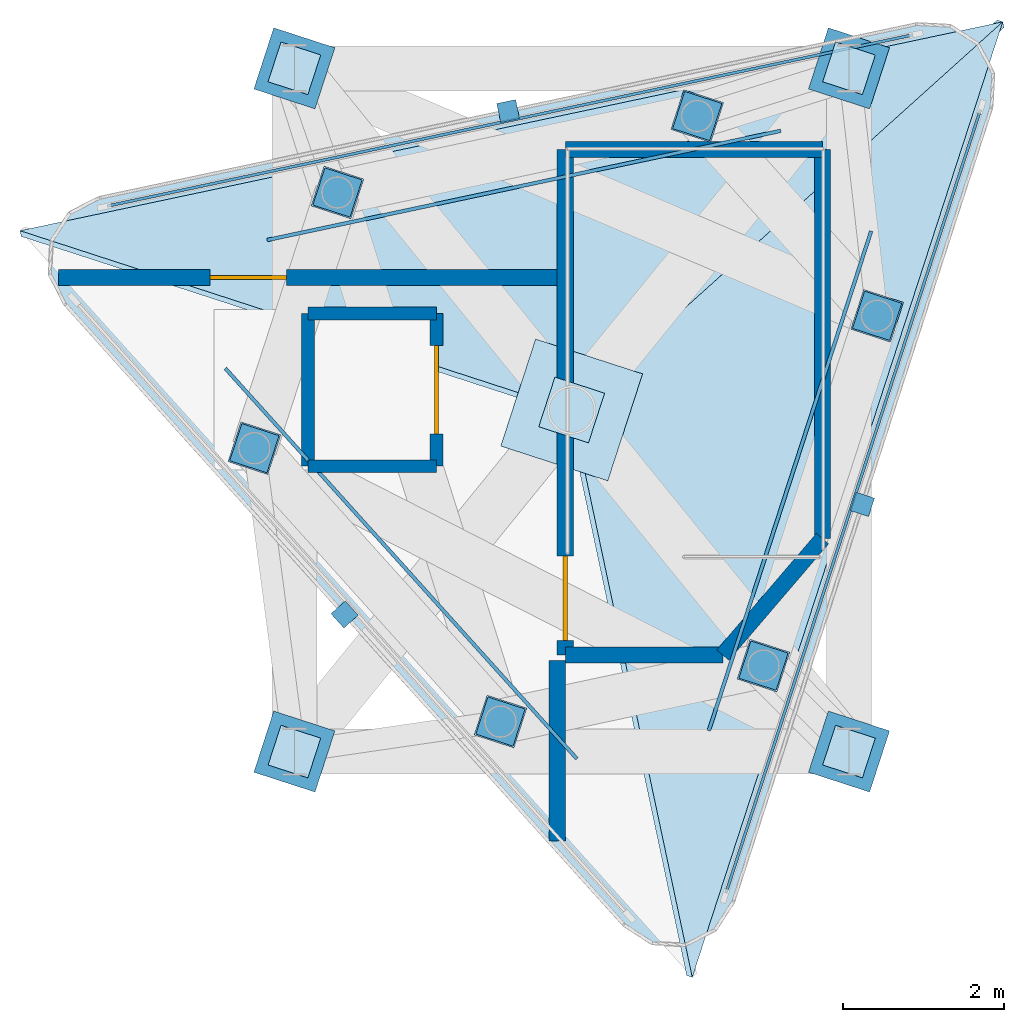
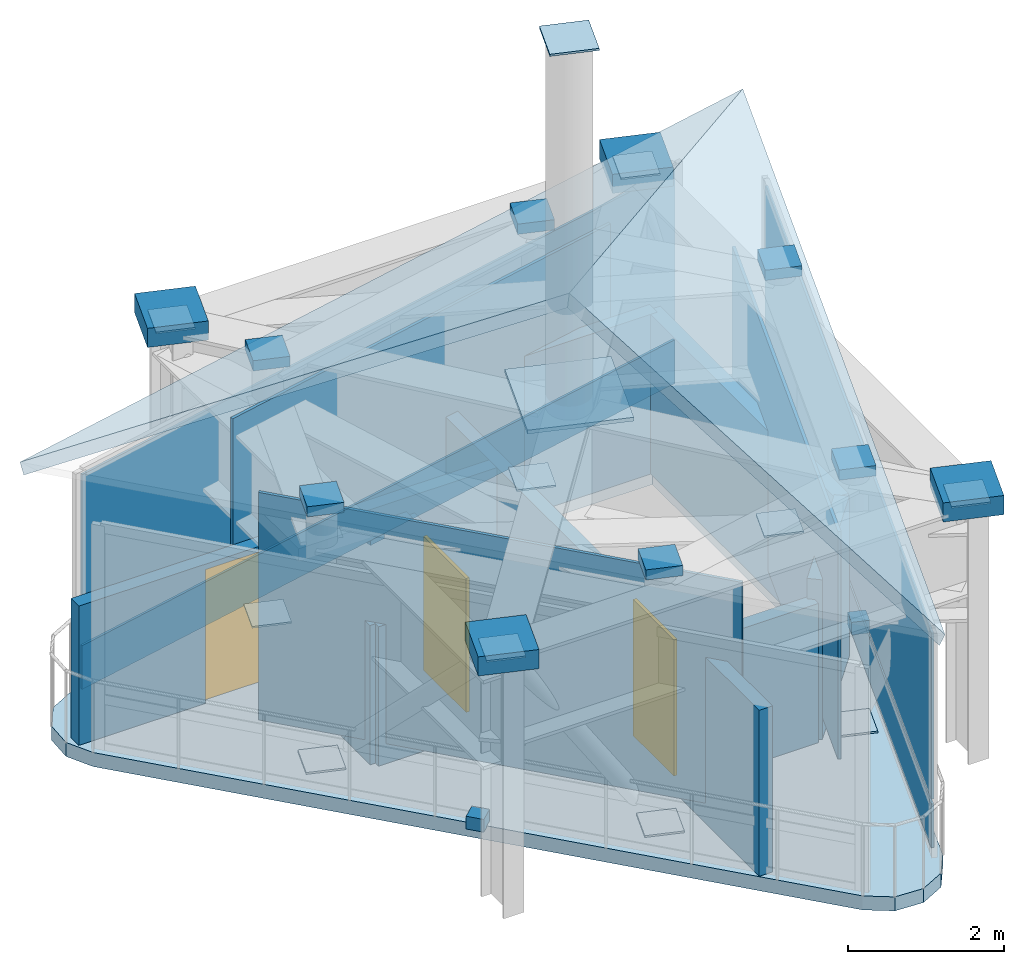
# One storey, part 2 of 3: 19 plates, 13 discrete accessories, 11 walls, 3 doors, 3 slabs, 3 openings, 2 elements without a shape of their own.
"""IFC4 building model written with IfcOpenShell, lengths in metres."""

from ifc_helpers import new_model, si_unit, direction, frame, frame_2d, origin, origin_2d, place, context, subcontext, project, spatial, polyline, rectangle, outline, extrude, material, layer, layer_set, type_object, element, fill, aggregate, save


model = new_model("IFC4")

# Units and contexts
model_context = context("Model", 3, precision=1e-05, world=origin(), true_north=direction((0.0, 1.0)))
body_context = subcontext(model_context, "Body", "Model", "MODEL_VIEW")
ifc_project = project(units=[si_unit("LENGTHUNIT", "METRE"), si_unit("AREAUNIT", "SQUARE_METRE"), si_unit("VOLUMEUNIT", "CUBIC_METRE"), si_unit("PLANEANGLEUNIT", "RADIAN"), si_unit("MASSUNIT", "GRAM", prefix="KILO")], contexts=[model_context])

# Site, building, storey
site_placement = place(None, origin())
site = spatial("IfcSite", under=ifc_project, at=site_placement, CompositionType="ELEMENT")
building_placement = place(site_placement, origin())
building = spatial("IfcBuilding", under=site, at=building_placement, Name="Terralouvre Media Tower", CompositionType="ELEMENT")
storey_placement = place(building_placement, frame((0.0, 0.0, 339.199951171875)))
storey = spatial("IfcBuildingStorey", under=building, at=storey_placement, Name="L87", CompositionType="ELEMENT", Elevation=339.199951171875)

# Slabs
ifc_material_1 = material(Name="Concrete C40/50", Category="concrete")
ifc_layer_1 = layer(ifc_material_1, 0.179931640625, Name="Crown Apex Roof Cap Slab S-CAP180")
ifc_layer_set_1 = layer_set([ifc_layer_1], Name="Concrete C40/50")
slab_type_1 = type_object("IfcSlabType", Name="Crown Apex Roof Cap Slab S-CAP180", PredefinedType="ROOF", material=ifc_layer_set_1)
slab_1_placement = place(storey_placement, frame((1.50048828125, -7.05908203125, 4.199951171875), z_axis=(0.385522159362, -0.125266595585, 0.914155864539), x_axis=(0.309023359697, 0.951054448053, 0.0)))
element("IfcSlab", 1, at=slab_1_placement, inside=storey, type_object=slab_type_1, Name="L87 Glass-Point Crown Pitched Roof Facet 1", PredefinedType="ROOF", context=body_context, shape_type="SweptSolid", body=[
    extrude(outline(polyline([(0.0, 0.0), (12.5, 0.0), (6.25, 3.947265625), (0.0, 0.0)])), origin(), (0.0, 0.0, -1.0), 0.179931640625),
])
slab_2_placement = place(storey_placement, frame((5.36328125, 4.8291015625, 4.199951171875), z_axis=(-0.084276776575, 0.396500659882, 0.914157892075), x_axis=(-0.978148624385, -0.207906874857, 0.0)))
element("IfcSlab", 2, at=slab_2_placement, inside=storey, type_object=slab_type_1, Name="L87 Glass-Point Crown Pitched Roof Facet 2", PredefinedType="ROOF", context=body_context, shape_type="SweptSolid", body=[
    extrude(outline(polyline([(0.0, 0.0), (12.500244140625, 0.0), (6.25, 3.947265625), (0.0, 0.0)])), origin(), (0.0, 0.0, -1.0), 0.179931640625),
])

# Plates
ifc_material_2 = material(Name="Low-iron laminated double glazing with solar-control coating", Category="glass")
ifc_layer_2 = layer(ifc_material_2, 0.0419921875, Name="Crown Faceted Tapered Glass Panel CWP-04")
ifc_layer_set_2 = layer_set([ifc_layer_2], Name="Low-iron laminated double glazing with solar-control coating")
plate_type_1 = type_object("IfcPlateType", Name="Crown Faceted Tapered Glass Panel CWP-04", PredefinedType="SHEET", material=ifc_layer_set_2)
for number, where, z_axis, x_axis, name in (
    (3, (2.716064453125, -0.882568359375, 0.31494140625), (0.0, 0.0, 1.0), (0.3090168573, 0.951056560834, 0.0), "L87 Faceted Glass-Point Crown Panel F0"),
    (4, (-0.59375, 2.79345703125, 0.31494140625), (0.0, 0.0, 1.0), (-0.978147555117, -0.207911905429, 0.0), "L87 Faceted Glass-Point Crown Panel F1"),
    (5, (-2.122314453125, -1.910888671875, 0.31494140625), (0.0, 0.0, 1.0), (0.66913073697, -0.743144707875, 0.0), "L87 Faceted Glass-Point Crown Panel F2"),
):
    element("IfcPlate", number, at=place(storey_placement, frame(where, z_axis=z_axis, x_axis=x_axis)), inside=storey, type_object=plate_type_1, Name=name, PredefinedType="SHEET", context=body_context, shape_type="SweptSolid", body=[
        extrude(rectangle(XDim=6.53515625, YDim=0.044921875, at=origin_2d()), origin(), (0.0, 0.0, 1.0), 3.570068359375),
    ])

# Slab
ifc_material_3 = material(Name="Concrete C40/50", Category="concrete")
ifc_layer_3 = layer(ifc_material_3, 0.219970703125, Name="Crown Plant and Catwalk Slab S-CRN220")
ifc_layer_set_3 = layer_set([ifc_layer_3], Name="Concrete C40/50")
slab_type_2 = type_object("IfcSlabType", Name="Crown Plant and Catwalk Slab S-CRN220", PredefinedType="FLOOR", material=ifc_layer_set_3)
slab_3_placement = place(storey_placement, frame((0.0, 0.0, -0.219970703125), z_axis=(0.0, 0.0, 1.0), x_axis=(0.309016994375, 0.951056516295, 0.0)))
element("IfcSlab", 6, at=slab_3_placement, inside=storey, type_object=slab_type_2, Name="L87 Structural Floor Slab", PredefinedType="FLOOR", context=body_context, shape_type="SweptSolid", body=[
    extrude(outline(polyline([(-5.892822265625, -2.602294921875), (-6.0, -3.002197265625), (-5.892822265625, -3.402099609375), (-5.60009765625, -3.695068359375), (-5.199951171875, -3.80224609375), (5.199951171875, -3.80224609375), (5.60009765625, -3.695068359375), (5.892822265625, -3.40234375), (6.0, -3.002197265625), (5.892822265625, -2.602294921875), (0.69287109375, 6.404541015625), (0.39990234375, 6.697265625), (0.0, 6.804443359375), (-0.39990234375, 6.697265625), (-0.69287109375, 6.404541015625), (-5.892822265625, -2.602294921875)]), holes=[polyline([(-1.57861328125, 2.851806640625), (0.076416015625, 3.389404296875), (0.5244140625, 2.010498046875), (-1.13037109375, 1.47265625), (-1.57861328125, 2.851806640625)]), polyline([(-1.669189453125, -0.542236328125), (3.04345703125, 0.98876953125), (3.9951171875, -1.9404296875), (-0.71728515625, -3.4716796875), (-1.669189453125, -0.542236328125)])]), origin(), (0.0, 0.0, 1.0), 0.219970703125),
])

# Plates
ifc_material_4 = material(Name="Structural steel S355J2", Category="steel")
ifc_layer_4 = layer(ifc_material_4, 0.028076171875, Name="Crown Rib End-Cap Node Plate ND-CR1")
ifc_layer_set_4 = layer_set([ifc_layer_4], Name="Structural steel S355J2")
plate_type_2 = type_object("IfcPlateType", Name="Crown Rib End-Cap Node Plate ND-CR1", PredefinedType="SHEET", material=ifc_layer_set_4)
for number, where, z_axis, x_axis, name in (
    (7, (2.385986328125, -3.180908203125, 0.13623046875), (0.0, 0.0, 1.0), (0.309016994375, 0.951056516295, 0.0), "L87 Crown Rib Base Plate 25"),
    (8, (3.449951171875, -4.25, 4.005859375), (0.0, 0.0, 1.0), (0.309016994375, 0.951056516295, 0.0), "L87 Crown Rib Top Plate 25"),
    (9, (3.800048828125, 1.171142578125, 0.13623046875), (0.0, 0.0, 1.0), (0.309016994375, 0.951056516295, 0.0), "L87 Crown Rib Base Plate 26"),
    (10, (3.449951171875, 4.25, 4.005859375), (0.0, 0.0, 1.0), (0.309016994375, 0.951056516295, 0.0), "L87 Crown Rib Top Plate 26"),
    (11, (1.561767578125, 3.65673828125, 0.13623046875), (0.0, 0.0, 1.0), (0.309016994375, 0.951056516295, 0.0), "L87 Crown Rib Base Plate 27"),
    (12, (-2.9140625, 2.70556640625, 0.13623046875), (0.0, 0.0, 1.0), (0.309016994375, 0.951056516295, 0.0), "L87 Crown Rib Base Plate 28"),
    (13, (-3.449951171875, 4.25, 4.005859375), (0.0, 0.0, 1.0), (0.309016994375, 0.951056516295, 0.0), "L87 Crown Rib Top Plate 28"),
    (14, (-3.94775390625, -0.475830078125, 0.13623046875), (0.0, 0.0, 1.0), (0.309016994375, 0.951056516295, 0.0), "L87 Crown Rib Base Plate 29"),
    (15, (-3.449951171875, -4.25, 4.005859375), (0.0, 0.0, 1.0), (0.309016994375, 0.951056516295, 0.0), "L87 Crown Rib Top Plate 29"),
    (16, (-0.885986328125, -3.87646484375, 0.13623046875), (0.0, 0.0, 1.0), (0.309016994375, 0.951056516295, 0.0), "L87 Crown Rib Base Plate 30"),
):
    element("IfcPlate", number, at=place(storey_placement, frame(where, z_axis=z_axis, x_axis=x_axis)), inside=storey, type_object=plate_type_2, Name=name, PredefinedType="SHEET", context=body_context, shape_type="SweptSolid", body=[
        extrude(rectangle(XDim=0.52001953125, YDim=0.52001953125, at=origin_2d()), origin(), (0.0, 0.0, 1.0), 0.028076171875),
    ])
plate_1_placement = place(storey_placement, frame((0.0, 0.0, 9.7841796875), z_axis=(0.0, 0.0, 1.0), x_axis=(0.309016994375, 0.951056516295, 0.0)))
element("IfcPlate", 17, at=plate_1_placement, inside=storey, type_object=plate_type_2, Name="Broadcast Spire Top Cap Plate", PredefinedType="SHEET", context=body_context, shape_type="SweptSolid", body=[
    extrude(rectangle(XDim=0.64990234375, YDim=0.64990234375, at=origin_2d()), origin(), (0.0, 0.0, 1.0), 0.031982421875),
])
ifc_material_5 = material(Name="Structural steel S460M", Category="steel")
ifc_layer_5 = layer(ifc_material_5, 0.06005859375, Name="Spire Base Anchor Plate BP-SP1")
ifc_layer_set_5 = layer_set([ifc_layer_5], Name="Structural steel S460M")
plate_type_3 = type_object("IfcPlateType", Name="Spire Base Anchor Plate BP-SP1", PredefinedType="SHEET", material=ifc_layer_set_5)
plate_2_placement = place(storey_placement, frame((0.0, 0.0, 4.169921875), z_axis=(0.0, 0.0, 1.0), x_axis=(0.309016994375, 0.951056516295, 0.0)))
element("IfcPlate", 18, at=plate_2_placement, inside=storey, type_object=plate_type_3, Name="L87 Broadcast Spire Base Plate BP-SP1", PredefinedType="SHEET", context=body_context, shape_type="SweptSolid", body=[
    extrude(rectangle(XDim=1.39990234375, YDim=1.39990234375, at=origin_2d()), origin(), (0.0, 0.0, 1.0), 0.06005859375),
])

# Curtain wall, plates
ifc_material_6 = material(Name="Low-iron laminated double glazing with solar-control coating", Category="glass")
ifc_layer_6 = layer(ifc_material_6, 0.1650390625, Name="Faceted Glass-Point Crown Curtain Wall CW-06")
ifc_layer_set_6 = layer_set([ifc_layer_6], Name="Low-iron laminated double glazing with solar-control coating")
curtain_wall_type = type_object("IfcCurtainWallType", Name="Faceted Glass-Point Crown Curtain Wall CW-06", PredefinedType="NOTDEFINED", material=ifc_layer_set_6)
curtain_wall_1_placement = place(storey_placement, origin())
curtain_wall_1 = element("IfcCurtainWall", 19, at=curtain_wall_1_placement, inside=storey, type_object=curtain_wall_type, Name="L87 Facade Curtain Wall F0", PredefinedType="NOTDEFINED")
ifc_material_7 = material(Name="Low-iron laminated double glazing with solar-control coating", Category="glass")
ifc_layer_7 = layer(ifc_material_7, 0.035888671875, Name="Vision Double-Glazed Unit CWP-01")
ifc_layer_set_7 = layer_set([ifc_layer_7], Name="Low-iron laminated double glazing with solar-control coating")
plate_type_4 = type_object("IfcPlateType", Name="Vision Double-Glazed Unit CWP-01", PredefinedType="CURTAIN_PANEL", material=ifc_layer_set_7)
plate_3_placement = place(storey_placement, frame((3.501953125, -1.137939453125, 0.074951171875), z_axis=(0.0, 0.0, 1.0), x_axis=(0.309017214744, 0.951056444693, 0.0)))
plate_3 = element("IfcPlate", 20, at=plate_3_placement, type_object=plate_type_4, Name="CW-06 panel 1.1", PredefinedType="CURTAIN_PANEL", context=body_context, shape_type="SweptSolid", body=[
    extrude(rectangle(XDim=10.25, YDim=0.035888671875, at=origin_2d()), origin(), (0.0, 0.0, 1.0), 0.6875),
])
plate_4_placement = place(storey_placement, frame((3.501953125, -1.137939453125, 0.837646484375), z_axis=(0.0, 0.0, 1.0), x_axis=(0.309017214744, 0.951056444693, 0.0)))
plate_4 = element("IfcPlate", 21, at=plate_4_placement, type_object=plate_type_4, Name="CW-06 panel 1.2", PredefinedType="CURTAIN_PANEL", context=body_context, shape_type="SweptSolid", body=[
    extrude(rectangle(XDim=10.25, YDim=0.035888671875, at=origin_2d()), origin(), (0.0, 0.0, 1.0), 2.607421875),
])
aggregate(curtain_wall_1, [plate_3, plate_4])

curtain_wall_2_placement = place(storey_placement, origin())
curtain_wall_2 = element("IfcCurtainWall", 22, at=curtain_wall_2_placement, inside=storey, type_object=curtain_wall_type, Name="L87 Facade Curtain Wall F1", PredefinedType="NOTDEFINED")
plate_5_placement = place(storey_placement, frame((-0.765625, 3.601806640625, 0.074951171875), z_axis=(0.0, 0.0, 1.0), x_axis=(-0.978147610738, -0.207911643751, 0.0)))
plate_5 = element("IfcPlate", 23, at=plate_5_placement, type_object=plate_type_4, Name="CW-06 panel 1.1", PredefinedType="CURTAIN_PANEL", context=body_context, shape_type="SweptSolid", body=[
    extrude(rectangle(XDim=10.25, YDim=0.035888671875, at=origin_2d()), origin(), (0.0, 0.0, 1.0), 0.6875),
])
plate_6_placement = place(storey_placement, frame((-0.765625, 3.601806640625, 0.837646484375), z_axis=(0.0, 0.0, 1.0), x_axis=(-0.978147610738, -0.207911643751, 0.0)))
plate_6 = element("IfcPlate", 24, at=plate_6_placement, type_object=plate_type_4, Name="CW-06 panel 1.2", PredefinedType="CURTAIN_PANEL", context=body_context, shape_type="SweptSolid", body=[
    extrude(rectangle(XDim=10.25, YDim=0.035888671875, at=origin_2d()), origin(), (0.0, 0.0, 1.0), 2.607421875),
])
aggregate(curtain_wall_2, [plate_5, plate_6])

# Walls
ifc_material_8 = material(Name="Fire-rated gypsum board drywall partition")
ifc_layer_8 = layer(ifc_material_8, 0.199951171875, Name="Fire-Rated Shaft and Lobby Partition FW-200")
ifc_layer_set_8 = layer_set([ifc_layer_8], Name="Fire-rated gypsum board drywall partition")
wall_type = type_object("IfcWallType", Name="Fire-Rated Shaft and Lobby Partition FW-200", PredefinedType="SOLIDWALL", material=ifc_layer_set_8)
wall_1_placement = place(storey_placement, frame((-0.080078125, -3.050048828125, 0.0), z_axis=(0.0, 0.0, 1.0), x_axis=(1.0, 0.0, 0.0)))
element("IfcWall", 25, at=wall_1_placement, inside=storey, type_object=wall_type, Name="L87 ST05 Stair Shaft Wall S", PredefinedType="SOLIDWALL", context=body_context, shape_type="SweptSolid", body=[
    extrude(rectangle(XDim=1.9599609375, YDim=0.199951171875, at=frame_2d((0.97998046875, 0.0))), origin(), (0.0, 0.0, 1.0), 2.18505859375),
])
wall_2_placement = place(storey_placement, frame((1.8798828125, -3.050048828125, 0.0), z_axis=(0.0, 0.0, 1.0), x_axis=(0.650011257585, 0.759924578503, 0.0)))
element("IfcWall", 26, at=wall_2_placement, inside=storey, type_object=wall_type, Name="L87 ST05 Stair Shaft Wall SE", PredefinedType="SOLIDWALL", context=body_context, shape_type="SweptSolid", body=[
    extrude(rectangle(XDim=1.907958984375, YDim=0.199951171875, at=frame_2d((0.9541015625, 0.0))), origin(), (0.0, 0.0, 1.0), 2.505126953125),
])
wall_3_placement = place(storey_placement, frame((3.1201171875, -1.60009765625, 0.0), z_axis=(0.0, 0.0, 1.0), x_axis=(0.0, 1.0, 0.0)))
element("IfcWall", 27, at=wall_3_placement, inside=storey, type_object=wall_type, Name="L87 ST05 Stair Shaft Wall E", PredefinedType="SOLIDWALL", context=body_context, shape_type="SweptSolid", body=[
    extrude(rectangle(XDim=4.840087890625, YDim=0.199951171875, at=frame_2d((2.419921875, 0.0))), origin(), (0.0, 0.0, 1.0), 2.505126953125),
])
wall_4_placement = place(storey_placement, frame((3.1201171875, 3.239990234375, 0.0), z_axis=(0.0, 0.0, 1.0), x_axis=(-1.0, 0.0, 0.0)))
element("IfcWall", 28, at=wall_4_placement, inside=storey, type_object=wall_type, Name="L87 ST05 Stair Shaft Wall N", PredefinedType="SOLIDWALL", context=body_context, shape_type="SweptSolid", body=[
    extrude(rectangle(XDim=3.2001953125, YDim=0.199951171875, at=frame_2d((1.60009765625, 0.0))), origin(), (0.0, 0.0, 1.0), 2.505126953125),
])

# Wall, opening, door
wall_5_placement = place(storey_placement, frame((-0.080078125, 3.239990234375, 0.0), z_axis=(0.0, 0.0, 1.0), x_axis=(0.0, -1.0, 0.0)))
wall_5 = element("IfcWall", 29, at=wall_5_placement, inside=storey, type_object=wall_type, Name="L87 ST05 Stair Shaft Wall W", PredefinedType="SOLIDWALL", context=body_context, shape_type="SweptSolid", body=[
    extrude(rectangle(XDim=6.2900390625, YDim=0.199951171875, at=frame_2d((3.14501953125, 0.0))), origin(), (0.0, 0.0, 1.0), 2.18505859375),
])
opening_1_placement = place(wall_5_placement, frame((5.06005859375, 0.0, 0.0)))
opening_1 = element("IfcOpeningElement", 30, at=opening_1_placement, cuts=wall_5, Name="Opening FD-01", PredefinedType="OPENING", context=body_context, shape_type="SweptSolid", body=[
    extrude(rectangle(XDim=1.050048828125, YDim=2.135009765625, at=frame_2d((0.52490234375, 1.0673828125))), frame((0.0, 0.10986328125, 0.0), z_axis=(0.0, -1.0, 0.0), x_axis=(1.0, 0.0, 0.0)), (0.0, 0.0, 1.0), 0.219970703125),
])
ifc_material_9 = material(Name="Galvanised steel fire-resisting leaf", Category="steel")
door_type_1 = type_object("IfcDoorType", Name="Stair and Firefighting Lobby Fire Door FD-01", OperationType="NOTDEFINED", PredefinedType="DOOR", material=ifc_material_9)
door_1_placement = place(opening_1_placement, origin())
door_1 = element("IfcDoor", 31, at=door_1_placement, inside=storey, type_object=door_type_1, Name="L87 ST05 Pressurised Stair Door", OperationType="SINGLE_SWING_LEFT", OverallHeight=2.135009765625, OverallWidth=1.050048828125, PredefinedType="DOOR", context=body_context, shape_type="SweptSolid", body=[
    extrude(rectangle(XDim=1.050048828125, YDim=2.135009765625, at=frame_2d((0.52490234375, 1.0673828125))), frame((0.0, 0.02490234375, 0.0), z_axis=(0.0, -1.0, 0.0), x_axis=(1.0, 0.0, 0.0)), (0.0, 0.0, 1.0), 0.050048828125),
])
fill(opening_1, door_1)

# Walls
wall_6_placement = place(storey_placement, frame((-3.280029296875, -0.699951171875, 0.0), z_axis=(0.0, 0.0, 1.0), x_axis=(0.0, 1.0, 0.0)))
element("IfcWall", 32, at=wall_6_placement, inside=storey, type_object=wall_type, Name="L87 CSL-01 Lift Shaft Wall W", PredefinedType="SOLIDWALL", context=body_context, shape_type="SweptSolid", body=[
    extrude(rectangle(XDim=1.89990234375, YDim=0.159912109375, at=frame_2d((0.949951171875, 0.0))), origin(), (0.0, 0.0, 1.0), 2.18505859375),
])
for number, where, z_axis, x_axis, name in (
    (33, (-3.280029296875, 1.199951171875, 0.0), (0.0, 0.0, 1.0), (1.0, 0.0, 0.0), "L87 CSL-01 Lift Shaft Wall N"),
    (34, (-1.679931640625, -0.699951171875, 0.0), (0.0, 0.0, 1.0), (-1.0, 0.0, 0.0), "L87 CSL-01 Lift Shaft Wall S"),
):
    element("IfcWall", number, at=place(storey_placement, frame(where, z_axis=z_axis, x_axis=x_axis)), inside=storey, type_object=wall_type, Name=name, PredefinedType="SOLIDWALL", context=body_context, shape_type="SweptSolid", body=[
        extrude(rectangle(XDim=1.60009765625, YDim=0.159912109375, at=frame_2d((0.800048828125, 0.0))), origin(), (0.0, 0.0, 1.0), 2.18505859375),
    ])

# Wall, opening, door
wall_7_placement = place(storey_placement, frame((-1.679931640625, -0.699951171875, 0.0), z_axis=(0.0, 0.0, 1.0), x_axis=(0.0, 1.0, 0.0)))
wall_7 = element("IfcWall", 35, at=wall_7_placement, inside=storey, type_object=wall_type, Name="L87 CSL-01 Lift Shaft Wall E", PredefinedType="SOLIDWALL", context=body_context, shape_type="SweptSolid", body=[
    extrude(rectangle(XDim=1.89990234375, YDim=0.159912109375, at=frame_2d((0.949951171875, 0.0))), origin(), (0.0, 0.0, 1.0), 2.18505859375),
])
opening_2_placement = place(wall_7_placement, frame((0.39990234375, 0.0, 0.0)))
opening_2 = element("IfcOpeningElement", 36, at=opening_2_placement, cuts=wall_7, Name="Opening LD-PL", PredefinedType="OPENING", context=body_context, shape_type="SweptSolid", body=[
    extrude(rectangle(XDim=1.10009765625, YDim=2.10009765625, at=frame_2d((0.550048828125, 1.050048828125))), frame((0.0, 0.08984375, 0.0), z_axis=(0.0, -1.0, 0.0), x_axis=(1.0, 0.0, 0.0)), (0.0, 0.0, 1.0), 0.179931640625),
])
ifc_material_10 = material(Name="Stainless steel 316 handrail and balustrade", Category="steel")
door_type_2 = type_object("IfcDoorType", Name="Passenger Lift Sliding Landing Door LD-PL", OperationType="SLIDING_TO_LEFT", PredefinedType="DOOR", material=ifc_material_10)
door_2_placement = place(opening_2_placement, origin())
door_2 = element("IfcDoor", 37, at=door_2_placement, inside=storey, type_object=door_type_2, Name="L87 Crown Service Lift CSL-01 Landing Door", OperationType="SLIDING_TO_LEFT", OverallHeight=2.10009765625, OverallWidth=1.10009765625, PredefinedType="DOOR", context=body_context, shape_type="SweptSolid", body=[
    extrude(rectangle(XDim=1.10009765625, YDim=2.10009765625, at=frame_2d((0.550048828125, 1.050048828125))), frame((0.0, 0.02490234375, 0.0), z_axis=(0.0, -1.0, 0.0), x_axis=(1.0, 0.0, 0.0)), (0.0, 0.0, 1.0), 0.050048828125),
])
fill(opening_2, door_2)

wall_8_placement = place(storey_placement, frame((-0.179931640625, 1.64990234375, 0.0), z_axis=(0.0, 0.0, 1.0), x_axis=(-1.0, 0.0, 0.0)))
wall_8 = element("IfcWall", 38, at=wall_8_placement, inside=storey, type_object=wall_type, Name="L87 Interior Partition 001", PredefinedType="SOLIDWALL", context=body_context, shape_type="SweptSolid", body=[
    extrude(rectangle(XDim=6.203369140625, YDim=0.199951171875, at=frame_2d((3.1015625, 0.0))), origin(), (0.0, 0.0, 1.0), 2.18505859375),
])
opening_3_placement = place(wall_8_placement, frame((3.37109375, 0.0, 0.0)))
opening_3 = element("IfcOpeningElement", 39, at=opening_3_placement, cuts=wall_8, Name="Opening FD-02-95X210", PredefinedType="OPENING", context=body_context, shape_type="SweptSolid", body=[
    extrude(rectangle(XDim=0.949951171875, YDim=2.10009765625, at=frame_2d((0.47509765625, 1.050048828125))), frame((0.0, 0.10986328125, 0.0), z_axis=(0.0, -1.0, 0.0), x_axis=(1.0, 0.0, 0.0)), (0.0, 0.0, 1.0), 0.219970703125),
])
ifc_material_11 = material(Name="Galvanised steel fire-resisting leaf", Category="steel")
door_type_3 = type_object("IfcDoorType", Name="Plant and Riser Fire Door FD-02 (950x2100)", OperationType="NOTDEFINED", PredefinedType="DOOR", material=ifc_material_11)
door_3_placement = place(opening_3_placement, origin())
door_3 = element("IfcDoor", 40, at=door_3_placement, inside=storey, type_object=door_type_3, Name="L87 L87 Upper Damper Mechanical Equipment Room Door", OperationType="SINGLE_SWING_RIGHT", OverallHeight=2.10009765625, OverallWidth=0.949951171875, PredefinedType="DOOR", context=body_context, shape_type="SweptSolid", body=[
    extrude(rectangle(XDim=0.949951171875, YDim=2.10009765625, at=frame_2d((0.47509765625, 1.050048828125))), frame((0.0, 0.02490234375, 0.0), z_axis=(0.0, -1.0, 0.0), x_axis=(1.0, 0.0, 0.0)), (0.0, 0.0, 1.0), 0.050048828125),
])
fill(opening_3, door_3)

# Wall
wall_9_placement = place(storey_placement, frame((-0.179931640625, -5.36279296875, 0.0), z_axis=(0.0, 0.0, 1.0), x_axis=(0.0, 1.0, 0.0)))
element("IfcWall", 41, at=wall_9_placement, inside=storey, type_object=wall_type, Name="L87 Interior Partition 002", PredefinedType="SOLIDWALL", context=body_context, shape_type="SweptSolid", body=[
    extrude(rectangle(XDim=2.24267578125, YDim=0.199951171875, at=frame_2d((1.121337890625, 0.0))), origin(), (0.0, 0.0, 1.0), 2.60498046875),
])

# Discrete accessories
ifc_material_12 = material(Name="Structural steel S460M", Category="steel")
discrete_accessory_type_1 = type_object("IfcDiscreteAccessoryType", Name="Hollow Steel Section Welded End Cap EC-01", PredefinedType="BRACKET", material=ifc_material_12)
for number, where, z_axis, x_axis, name in (
    (42, (2.385986328125, -3.180908203125, 4.16015625), (0.0, 0.0, 1.0), (0.309016994375, 0.951056516295, 0.0), "L87 Hollow Column Welded End Cap CC11"),
    (43, (3.800048828125, 1.171142578125, 4.16015625), (0.0, 0.0, 1.0), (0.309016994375, 0.951056516295, 0.0), "L87 Hollow Column Welded End Cap CC12"),
    (44, (1.561767578125, 3.65673828125, 4.16015625), (0.0, 0.0, 1.0), (0.309016994375, 0.951056516295, 0.0), "L87 Hollow Column Welded End Cap CC21"),
    (45, (-2.9140625, 2.70556640625, 4.16015625), (0.0, 0.0, 1.0), (0.309016994375, 0.951056516295, 0.0), "L87 Hollow Column Welded End Cap CC22"),
    (46, (-3.94775390625, -0.475830078125, 4.16015625), (0.0, 0.0, 1.0), (0.309016994375, 0.951056516295, 0.0), "L87 Hollow Column Welded End Cap CC31"),
    (47, (-0.885986328125, -3.87646484375, 4.16015625), (0.0, 0.0, 1.0), (0.309016994375, 0.951056516295, 0.0), "L87 Hollow Column Welded End Cap CC32"),
):
    element("IfcDiscreteAccessory", number, at=place(storey_placement, frame(where, z_axis=z_axis, x_axis=x_axis)), inside=storey, type_object=discrete_accessory_type_1, Name=name, PredefinedType="BRACKET", context=body_context, shape_type="SweptSolid", body=[
        extrude(rectangle(XDim=0.486328125, YDim=0.486328125, at=origin_2d()), origin(), (0.0, 0.0, 1.0), 0.159912109375),
    ])
for number, where, z_axis, x_axis, name in (
    (48, (3.449951171875, -4.25, 3.91015625), (0.0, 0.0, 1.0), (0.309016994375, 0.951056516295, 0.0), "L87 Crown Rib Top Welded End Cap 25"),
    (49, (3.449951171875, 4.25, 3.91015625), (0.0, 0.0, 1.0), (0.309016994375, 0.951056516295, 0.0), "L87 Crown Rib Top Welded End Cap 26"),
    (50, (-3.449951171875, 4.25, 3.91015625), (0.0, 0.0, 1.0), (0.309016994375, 0.951056516295, 0.0), "L87 Crown Rib Top Welded End Cap 28"),
    (51, (-3.449951171875, -4.25, 3.91015625), (0.0, 0.0, 1.0), (0.309016994375, 0.951056516295, 0.0), "L87 Crown Rib Top Welded End Cap 29"),
):
    element("IfcDiscreteAccessory", number, at=place(storey_placement, frame(where, z_axis=z_axis, x_axis=x_axis)), inside=storey, type_object=discrete_accessory_type_1, Name=name, PredefinedType="BRACKET", context=body_context, shape_type="SweptSolid", body=[
        extrude(rectangle(XDim=0.800048828125, YDim=0.800048828125, at=origin_2d()), origin(), (0.0, 0.0, 1.0), 0.300048828125),
    ])
ifc_material_13 = material(Name="Anodised extruded aluminium 6063-T6", Category="aluminium")
discrete_accessory_type_2 = type_object("IfcDiscreteAccessoryType", Name="Mullion Stand-Off Baguette Fixing Bracket BK-01", PredefinedType="BRACKET", material=ifc_material_13)
for number, where, z_axis, x_axis, name in (
    (52, (3.6162109375, -1.175048828125, -0.02001953125), (0.0, 0.0, 1.0), (0.3090168573, 0.951056560834, 0.0), "L87 Crown Panel Base Bracket F0"),
    (53, (-0.79052734375, 3.71923828125, -0.02001953125), (0.0, 0.0, 1.0), (-0.978147555117, -0.207911905429, 0.0), "L87 Crown Panel Base Bracket F1"),
    (54, (-2.82568359375, -2.544189453125, -0.02001953125), (0.0, 0.0, 1.0), (0.66913073697, -0.743144707875, 0.0), "L87 Crown Panel Base Bracket F2"),
):
    element("IfcDiscreteAccessory", number, at=place(storey_placement, frame(where, z_axis=z_axis, x_axis=x_axis)), inside=storey, type_object=discrete_accessory_type_2, Name=name, PredefinedType="BRACKET", context=body_context, shape_type="SweptSolid", body=[
        extrude(rectangle(XDim=0.239990234375, YDim=0.239990234375, at=origin_2d()), origin(), (0.0, 0.0, 1.0), 0.199951171875),
    ])

save(model, "model.ifc")
